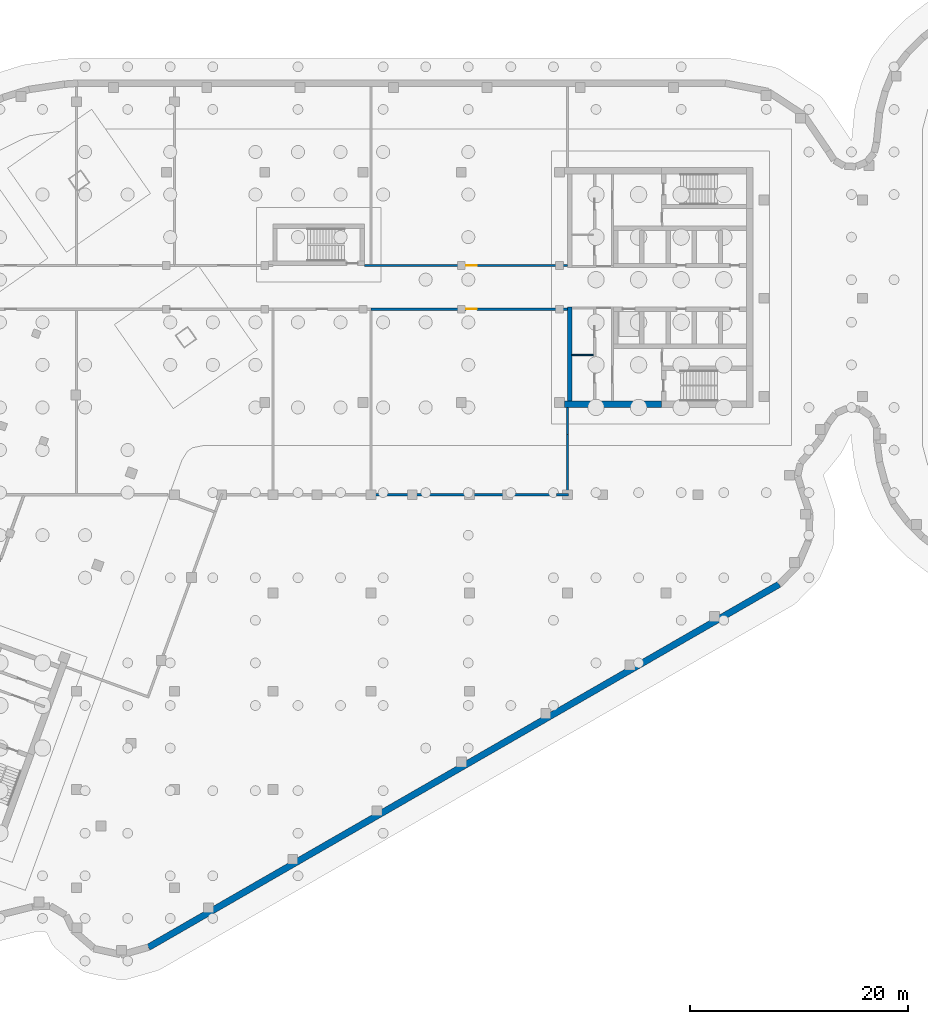
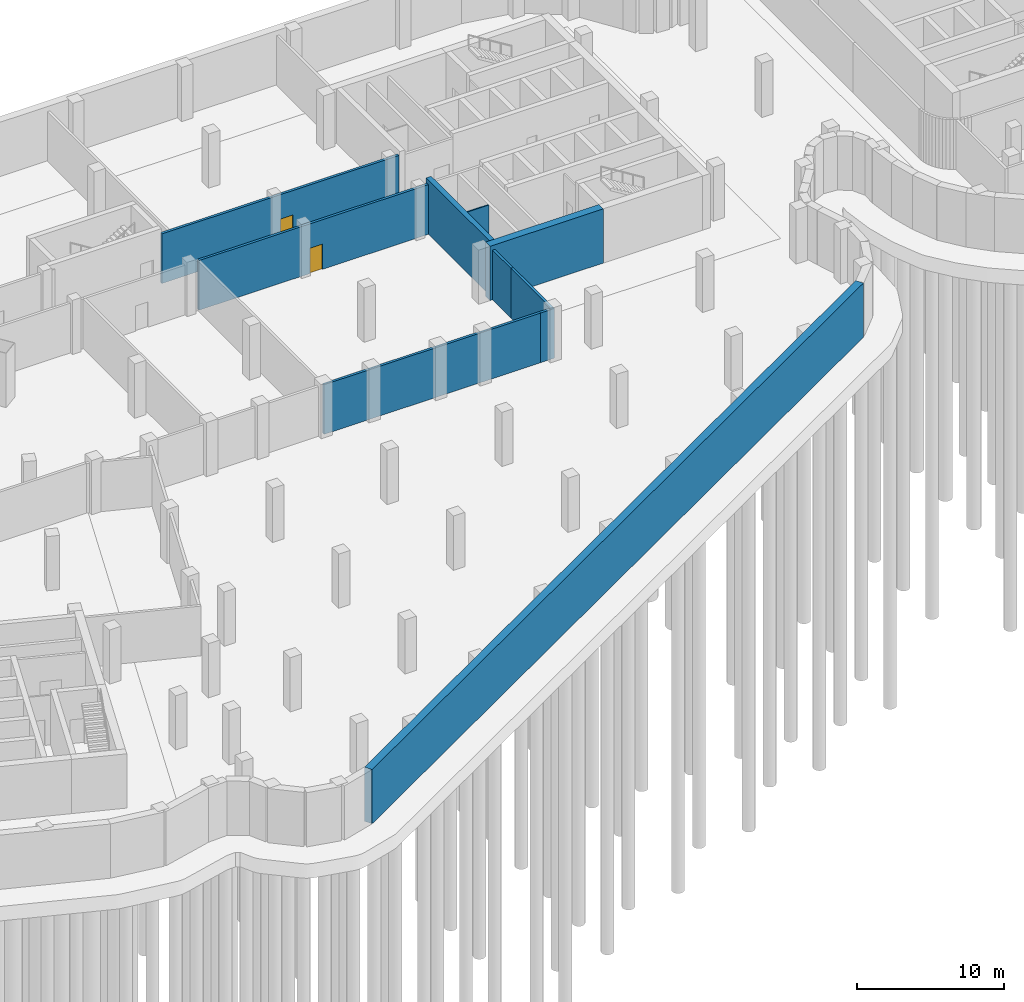
# One storey, part 7 of 18: 10 walls, 2 doors, 2 openings.
"""IFC4 building model written with IfcOpenShell, lengths in metres."""

from ifc_helpers import new_model, si_unit, direction, frame, frame_2d, origin, place, context, subcontext, project, spatial, rectangle, extrude, material, layer, layer_set, type_object, element, fill, save


model = new_model("IFC4")

# Units and contexts
model_context = context("Model", 3, precision=1e-05, world=origin(), true_north=direction((0.0, 1.0)))
body_context = subcontext(model_context, "Body", "Model", "MODEL_VIEW")
ifc_project = project(units=[si_unit("LENGTHUNIT", "METRE"), si_unit("AREAUNIT", "SQUARE_METRE"), si_unit("VOLUMEUNIT", "CUBIC_METRE"), si_unit("PLANEANGLEUNIT", "RADIAN"), si_unit("MASSUNIT", "GRAM", prefix="KILO")], contexts=[model_context])

# Site, building, storey
site_placement = place(None, origin())
site = spatial("IfcSite", under=ifc_project, at=site_placement, CompositionType="ELEMENT")
building_placement = place(site_placement, origin())
building = spatial("IfcBuilding", under=site, at=building_placement, Name="Skarvind Civic Tower", CompositionType="ELEMENT")
storey_placement = place(building_placement, frame((0.0, 0.0, -9.0)))
storey = spatial("IfcBuildingStorey", under=building, at=storey_placement, Name="B2", CompositionType="ELEMENT", Elevation=-9.0)

# Walls
ifc_material_1 = material(Name="Concrete C40", Category="concrete")
ifc_layer_1 = layer(ifc_material_1, 0.60009765625)
ifc_layer_set_1 = layer_set([ifc_layer_1], Name="Basement retaining wall 600 C40")
wall_type_1 = type_object("IfcWallType", Name="Basement retaining wall 600 C40", PredefinedType="SHEAR", material=ifc_layer_set_1)
wall_1_placement = place(storey_placement, frame((110.367919921875, 100.798095703125, 0.0), z_axis=(0.0, 0.0, 1.0), x_axis=(-0.866702553925, -0.498825303107, 0.0)))
element("IfcWall", 1, at=wall_1_placement, inside=storey, type_object=wall_type_1, Name="Basement retaining wall B2 88", PredefinedType="SHEAR", context=body_context, shape_type="SweptSolid", body=[
    extrude(rectangle(XDim=66.650634765625, YDim=0.60009765625, at=frame_2d((33.3251953125, 0.0))), origin(), (0.0, 0.0, 1.0), 4.5),
])
ifc_material_2 = material(Name="Fire-rated plasterboard partition")
ifc_layer_2 = layer(ifc_material_2, 0.10009765625)
ifc_layer_set_2 = layer_set([ifc_layer_2], Name="Core partition wall 100")
wall_type_2 = type_object("IfcWallType", Name="Core partition wall 100", PredefinedType="PARTITIONING", material=ifc_layer_set_2)
wall_2_placement = place(storey_placement, frame((93.35009765625, 121.800048828125, 0.0), z_axis=(0.0, 0.0, 1.0), x_axis=(-1.0, 0.0, 0.0)))
element("IfcWall", 2, at=wall_2_placement, inside=storey, type_object=wall_type_2, Name="Core wall C1", PredefinedType="PARTITIONING", context=body_context, shape_type="SweptSolid", body=[
    extrude(rectangle(XDim=1.9501953125, YDim=0.10009765625, at=frame_2d((0.97509765625, 0.0))), origin(), (0.0, 0.0, 1.0), 4.125),
])
ifc_material_3 = material(Name="Concrete C80", Category="concrete")
ifc_layer_3 = layer(ifc_material_3, 0.39990234375)
ifc_layer_set_3 = layer_set([ifc_layer_3], Name="Core wall 400 C80")
wall_type_3 = type_object("IfcWallType", Name="Core wall 400 C80", PredefinedType="SHEAR", material=ifc_layer_set_3)
wall_3_placement = place(storey_placement, frame((91.199951171875, 126.199951171875, 0.0), z_axis=(0.0, 0.0, 1.0), x_axis=(0.0, -1.0, 0.0)))
element("IfcWall", 3, at=wall_3_placement, inside=storey, type_object=wall_type_3, Name="Core wall C1 north inner face B2", PredefinedType="SHEAR", context=body_context, shape_type="SweptSolid", body=[
    extrude(rectangle(XDim=8.599853515625, YDim=0.39990234375, at=frame_2d((4.2998046875, 0.0))), origin(), (0.0, 0.0, 1.0), 4.5),
])
ifc_layer_4 = layer(ifc_material_3, 0.60009765625)
ifc_layer_set_4 = layer_set([ifc_layer_4], Name="Core wall 600 C80")
wall_type_4 = type_object("IfcWallType", Name="Core wall 600 C80", PredefinedType="SHEAR", material=ifc_layer_set_4)
wall_4_placement = place(storey_placement, frame((99.60009765625, 117.300048828125, 0.0), z_axis=(0.0, 0.0, 1.0), x_axis=(-1.0, 0.0, 0.0)))
element("IfcWall", 4, at=wall_4_placement, inside=storey, type_object=wall_type_4, Name="Core wall C1 north side B2", PredefinedType="SHEAR", context=body_context, shape_type="SweptSolid", body=[
    extrude(rectangle(XDim=8.900146484375, YDim=0.60009765625, at=frame_2d((4.4501953125, 0.0))), origin(), (0.0, 0.0, 1.0), 4.5),
])
ifc_material_4 = material(Name="Fire-rated blockwork wall, plastered", Category="masonry")
ifc_layer_5 = layer(ifc_material_4, 0.199951171875)
ifc_layer_set_5 = layer_set([ifc_layer_5], Name="FIRE WALL 200 EI 120")
wall_type_5 = type_object("IfcWallType", Name="FIRE WALL 200 EI 120", PredefinedType="PARTITIONING", material=ifc_layer_set_5)
wall_5_placement = place(storey_placement, frame((90.0, 109.0, 0.0), z_axis=(0.0, 0.0, 1.0), x_axis=(1.0, 0.0, 0.0)))
element("IfcWall", 5, at=wall_5_placement, inside=storey, type_object=wall_type_5, Name="Basement partition B2 035", PredefinedType="PARTITIONING", context=body_context, shape_type="SweptSolid", body=[
    extrude(rectangle(XDim=1.10009765625, YDim=0.199951171875, at=frame_2d((0.550048828125, 0.0))), origin(), (0.0, 0.0, 1.0), 4.125),
])
wall_6_placement = place(storey_placement, frame((91.0, 109.10009765625, 0.0), z_axis=(0.0, 0.0, 1.0), x_axis=(0.0, 1.0, 0.0)))
element("IfcWall", 6, at=wall_6_placement, inside=storey, type_object=wall_type_5, Name="Basement partition B2 036", PredefinedType="PARTITIONING", context=body_context, shape_type="SweptSolid", body=[
    extrude(rectangle(XDim=5.39990234375, YDim=0.199951171875, at=frame_2d((2.699951171875, 0.0))), origin(), (0.0, 0.0, 1.0), 4.125),
])

# Wall, opening, door
ifc_layer_6 = layer(ifc_material_4, 0.199951171875)
ifc_layer_set_6 = layer_set([ifc_layer_6], Name="FIRE WALL 200 EI 60")
wall_type_6 = type_object("IfcWallType", Name="FIRE WALL 200 EI 60", PredefinedType="PARTITIONING", material=ifc_layer_set_6)
wall_7_placement = place(storey_placement, frame((72.39990234375, 130.0, 0.0), z_axis=(0.0, 0.0, 1.0), x_axis=(1.0, 0.0, 0.0)))
wall_7 = element("IfcWall", 7, at=wall_7_placement, inside=storey, type_object=wall_type_6, Name="Basement partition B2 030", PredefinedType="PARTITIONING", context=body_context, shape_type="SweptSolid", body=[
    extrude(rectangle(XDim=18.60009765625, YDim=0.199951171875, at=frame_2d((9.300048828125, 0.0))), origin(), (0.0, 0.0, 1.0), 4.125),
])
opening_1_placement = place(wall_7_placement, frame((9.298095703125, 0.0, 0.0)))
opening_1 = element("IfcOpeningElement", 8, at=opening_1_placement, cuts=wall_7, Name="Opening B2-D212", PredefinedType="OPENING", context=body_context, shape_type="SweptSolid", body=[
    extrude(rectangle(XDim=1.0, YDim=2.10009765625, at=frame_2d((0.5, 1.050048828125))), frame((0.0, 0.10986328125, 0.0), z_axis=(0.0, -1.0, 0.0), x_axis=(1.0, 0.0, 0.0)), (0.0, 0.0, 1.0), 0.219970703125),
])
ifc_material_5 = material(Name="Painted steel fire door leaf", Category="steel")
door_type = type_object("IfcDoorType", Name="FIRE DOOR 1000X2100 STEEL", OperationType="NOTDEFINED", PredefinedType="DOOR", material=ifc_material_5)
door_1_placement = place(opening_1_placement, origin())
door_1 = element("IfcDoor", 9, at=door_1_placement, inside=storey, type_object=door_type, Name="FIRE DOOR", OperationType="SINGLE_SWING_RIGHT", OverallHeight=2.10009765625, OverallWidth=1.0, PredefinedType="DOOR", context=body_context, shape_type="SweptSolid", body=[
    extrude(rectangle(XDim=1.0, YDim=2.10009765625, at=frame_2d((0.5, 1.050048828125))), frame((0.0, 0.02490234375, 0.0), z_axis=(0.0, -1.0, 0.0), x_axis=(1.0, 0.0, 0.0)), (0.0, 0.0, 1.0), 0.050048828125),
])
fill(opening_1, door_1)

# Wall
wall_8_placement = place(storey_placement, frame((73.0, 109.0, 0.0), z_axis=(0.0, 0.0, 1.0), x_axis=(1.0, 0.0, 0.0)))
element("IfcWall", 10, at=wall_8_placement, inside=storey, type_object=wall_type_6, Name="Basement partition B2 032", PredefinedType="PARTITIONING", context=body_context, shape_type="SweptSolid", body=[
    extrude(rectangle(XDim=17.0, YDim=0.199951171875, at=frame_2d((8.5, 0.0))), origin(), (0.0, 0.0, 1.0), 4.125),
])

# Wall, opening, door
wall_9_placement = place(storey_placement, frame((91.0, 126.0, 0.0), z_axis=(0.0, 0.0, 1.0), x_axis=(-1.0, 0.0, 0.0)))
wall_9 = element("IfcWall", 11, at=wall_9_placement, inside=storey, type_object=wall_type_6, Name="Basement partition B2 033", PredefinedType="PARTITIONING", context=body_context, shape_type="SweptSolid", body=[
    extrude(rectangle(XDim=18.0, YDim=0.199951171875, at=frame_2d((9.0, 0.0))), origin(), (0.0, 0.0, 1.0), 4.125),
])
opening_2_placement = place(wall_9_placement, frame((8.302001953125, 0.0, 0.0)))
opening_2 = element("IfcOpeningElement", 12, at=opening_2_placement, cuts=wall_9, Name="Opening B2-D211", PredefinedType="OPENING", context=body_context, shape_type="SweptSolid", body=[
    extrude(rectangle(XDim=1.0, YDim=2.10009765625, at=frame_2d((0.5, 1.050048828125))), frame((0.0, 0.10986328125, 0.0), z_axis=(0.0, -1.0, 0.0), x_axis=(1.0, 0.0, 0.0)), (0.0, 0.0, 1.0), 0.219970703125),
])
door_2_placement = place(opening_2_placement, origin())
door_2 = element("IfcDoor", 13, at=door_2_placement, inside=storey, type_object=door_type, Name="FIRE DOOR", OperationType="SINGLE_SWING_LEFT", OverallHeight=2.10009765625, OverallWidth=1.0, PredefinedType="DOOR", context=body_context, shape_type="SweptSolid", body=[
    extrude(rectangle(XDim=1.0, YDim=2.10009765625, at=frame_2d((0.5, 1.050048828125))), frame((0.0, 0.02490234375, 0.0), z_axis=(0.0, -1.0, 0.0), x_axis=(1.0, 0.0, 0.0)), (0.0, 0.0, 1.0), 0.050048828125),
])
fill(opening_2, door_2)

# Wall
wall_10_placement = place(storey_placement, frame((91.0, 114.5, 0.0), z_axis=(0.0, 0.0, 1.0), x_axis=(0.0, 1.0, 0.0)))
element("IfcWall", 14, at=wall_10_placement, inside=storey, type_object=wall_type_6, Name="Basement partition B2 037", PredefinedType="PARTITIONING", context=body_context, shape_type="SweptSolid", body=[
    extrude(rectangle(XDim=2.5, YDim=0.199951171875, at=frame_2d((1.25, 0.0))), origin(), (0.0, 0.0, 1.0), 4.125),
])

save(model, "model.ifc")
